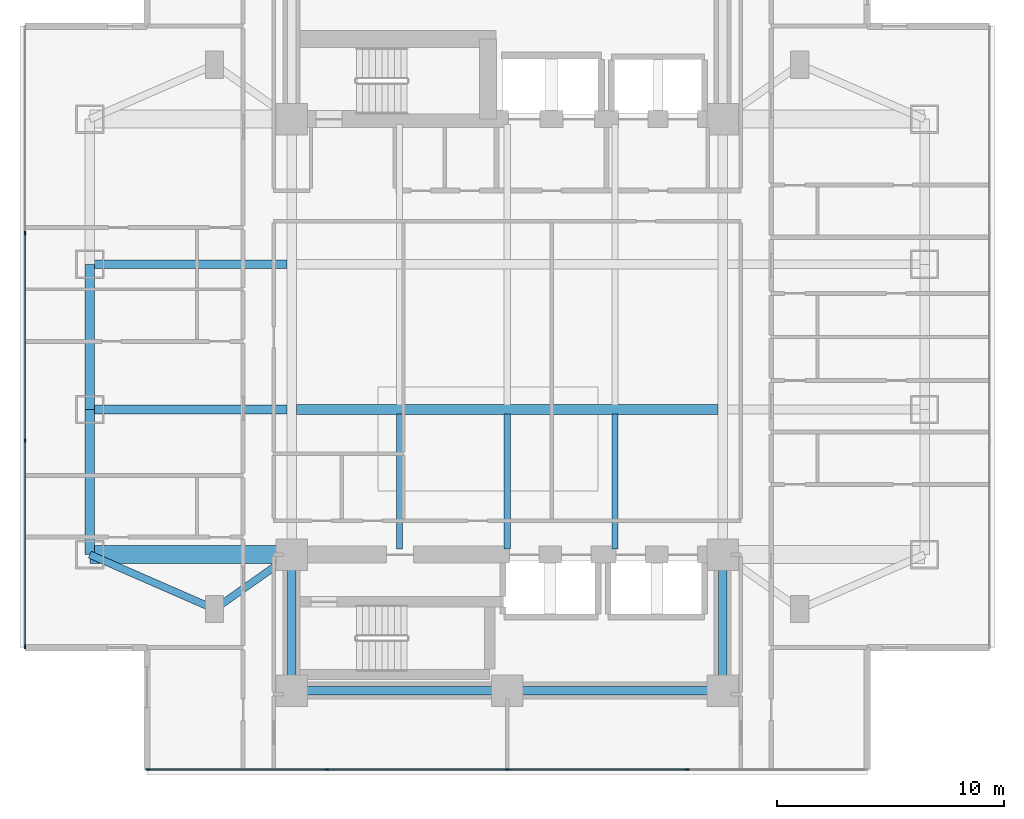
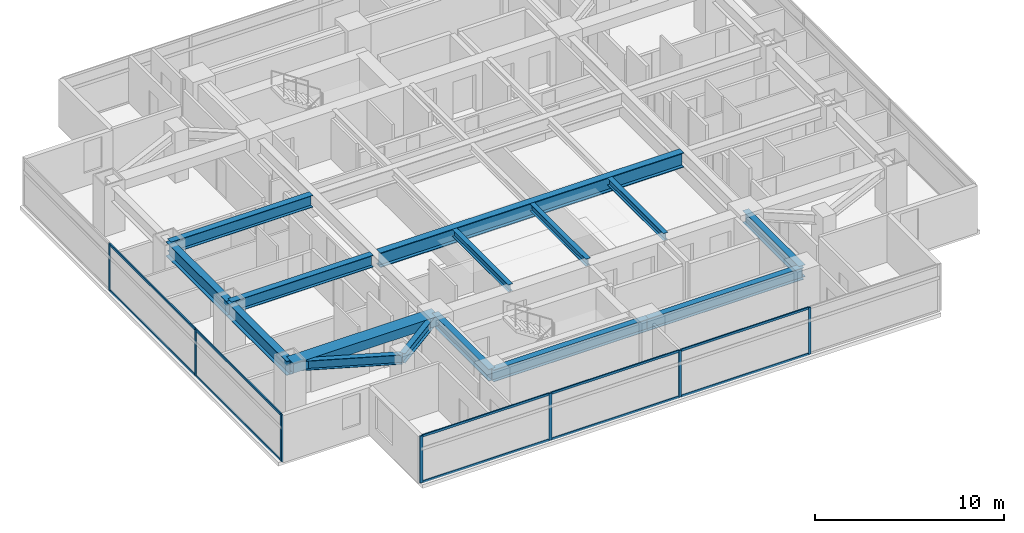
# One storey, part 2 of 26: 17 members, 15 beams, 2 elements without a shape of their own.
"""IFC4 building model written with IfcOpenShell, lengths in metres."""

from ifc_helpers import new_model, si_unit, direction, frame, origin, origin_2d, place, context, subcontext, project, spatial, rectangle, i_section, extrude, material, material_profile, profile_set, type_object, element, aggregate, save


model = new_model("IFC4")

# Units and contexts
model_context = context("Model", 3, precision=1e-05, world=origin(), true_north=direction((0.0, 1.0)))
body_context = subcontext(model_context, "Body", "Model", "MODEL_VIEW")
ifc_project = project(units=[si_unit("LENGTHUNIT", "METRE"), si_unit("AREAUNIT", "SQUARE_METRE"), si_unit("VOLUMEUNIT", "CUBIC_METRE"), si_unit("PLANEANGLEUNIT", "RADIAN"), si_unit("MASSUNIT", "GRAM", prefix="KILO")], contexts=[model_context])

# Site, building, storey
site_placement = place(None, origin())
site = spatial("IfcSite", under=ifc_project, at=site_placement, CompositionType="ELEMENT")
building_placement = place(site_placement, origin())
building = spatial("IfcBuilding", under=site, at=building_placement, Name="Mirazonda Arch Towers", CompositionType="ELEMENT")
storey_placement = place(building_placement, frame((0.0, 0.0, 25.699951171875)))
storey = spatial("IfcBuildingStorey", under=building, at=storey_placement, Name="L06", CompositionType="ELEMENT", Elevation=25.699951171875)

# Beams
ifc_material_1 = material(Name="Steel ASTM A992 Grade 50", Category="steel")
ifc_material_profile_1 = material_profile(ifc_material_1, i_section(OverallWidth=0.41796875, OverallDepth=0.927001953125, WebThickness=0.019287109375, FlangeThickness=0.031982421875, at=origin_2d()), Name="W36X231")
ifc_profile_set_1 = profile_set([ifc_material_profile_1], Name="Steel ASTM A992 Grade 50")
beam_type_1 = type_object("IfcBeamType", Name="BM-EXT-W36X231", PredefinedType="USERDEFINED", material=ifc_profile_set_1)
beam_1_placement = place(storey_placement, frame((2.10009765625, 18.39990234375, 2.596435546875), z_axis=(0.0, 1.0, 0.0), x_axis=(-1.0, 0.0, 0.0)))
element("IfcBeam", 1, at=beam_1_placement, inside=storey, type_object=beam_type_1, Name="L06 Floor Beam BM-T1-L06-NS-W-18", ObjectType="GIRDER", PredefinedType="USERDEFINED", context=body_context, shape_type="SweptSolid", body=[
    extrude(i_section(OverallWidth=0.41796875, OverallDepth=0.927001953125, WebThickness=0.019287109375, FlangeThickness=0.031982421875, at=origin_2d()), origin(), (0.0, 0.0, 1.0), 6.400146484375),
])
beam_2_placement = place(storey_placement, frame((2.10009765625, 24.800048828125, 2.596435546875), z_axis=(0.0, 1.0, 0.0), x_axis=(-1.0, 0.0, 0.0)))
element("IfcBeam", 2, at=beam_2_placement, inside=storey, type_object=beam_type_1, Name="L06 Floor Beam BM-T1-L06-NS-W-24", ObjectType="GIRDER", PredefinedType="USERDEFINED", context=body_context, shape_type="SweptSolid", body=[
    extrude(i_section(OverallWidth=0.41796875, OverallDepth=0.927001953125, WebThickness=0.019287109375, FlangeThickness=0.031982421875, at=origin_2d()), origin(), (0.0, 0.0, 1.0), 6.39990234375),
])
ifc_material_profile_2 = material_profile(ifc_material_1, i_section(OverallWidth=0.280029296875, OverallDepth=0.462890625, WebThickness=0.0107421875, FlangeThickness=0.017333984375, at=origin_2d()), Name="W18X76")
ifc_profile_set_2 = profile_set([ifc_material_profile_2], Name="Steel ASTM A992 Grade 50")
beam_type_2 = type_object("IfcBeamType", Name="BM-INT-W18X76", PredefinedType="JOIST", material=ifc_profile_set_2)
for number, where, z_axis, x_axis, name in (
    (3, (15.75, 18.639892578125, 2.82861328125), (0.0, 1.0, 0.0), (-1.0, 0.0, 0.0), "L06 Floor Beam BM-T1-L06-J-157-18"),
    (4, (20.5, 18.639892578125, 2.82861328125), (0.0, 1.0, 0.0), (-1.0, 0.0, 0.0), "L06 Floor Beam BM-T1-L06-J-205-18"),
    (5, (25.25, 18.639892578125, 2.82861328125), (0.0, 1.0, 0.0), (-1.0, 0.0, 0.0), "L06 Floor Beam BM-T1-L06-J-252-18"),
):
    element("IfcBeam", number, at=place(storey_placement, frame(where, z_axis=z_axis, x_axis=x_axis)), inside=storey, type_object=beam_type_2, Name=name, PredefinedType="JOIST", context=body_context, shape_type="SweptSolid", body=[
        extrude(i_section(OverallWidth=0.280029296875, OverallDepth=0.462890625, WebThickness=0.0107421875, FlangeThickness=0.017333984375, at=origin_2d()), origin(), (0.0, 0.0, 1.0), 5.95263671875),
    ])
ifc_material_profile_3 = material_profile(ifc_material_1, i_section(OverallWidth=0.324951171875, OverallDepth=0.615966796875, WebThickness=0.013916015625, FlangeThickness=0.021484375, at=origin_2d()), Name="W24X117")
ifc_profile_set_3 = profile_set([ifc_material_profile_3], Name="Steel ASTM A992 Grade 50")
beam_type_3 = type_object("IfcBeamType", Name="BM-INT-W24X117", PredefinedType="BEAM", material=ifc_profile_set_3)
beam_3_placement = place(storey_placement, frame((7.60009765625, 16.0, 2.751953125), z_axis=(0.816971114901, 0.576678591087, 0.0), x_axis=(-0.576678591087, 0.816971114901, 0.0)))
element("IfcBeam", 6, at=beam_3_placement, inside=storey, type_object=beam_type_3, Name="L06 Floor Beam BM-T1-L06-PL-SW1", PredefinedType="BEAM", context=body_context, shape_type="SweptSolid", body=[
    extrude(i_section(OverallWidth=0.324951171875, OverallDepth=0.615966796875, WebThickness=0.013916015625, FlangeThickness=0.021484375, at=origin_2d()), origin(), (0.0, 0.0, 1.0), 4.16162109375),
])
beam_4_placement = place(storey_placement, frame((7.60009765625, 16.0, 2.751953125), z_axis=(-0.916545343703, 0.399930785183, 0.0), x_axis=(-0.399930785183, -0.916545343703, 0.0)))
element("IfcBeam", 7, at=beam_4_placement, inside=storey, type_object=beam_type_3, Name="L06 Floor Beam BM-T1-L06-PL-SW2", PredefinedType="BEAM", context=body_context, shape_type="SweptSolid", body=[
    extrude(i_section(OverallWidth=0.324951171875, OverallDepth=0.615966796875, WebThickness=0.013916015625, FlangeThickness=0.021484375, at=origin_2d()), origin(), (0.0, 0.0, 1.0), 6.000732421875),
])
ifc_material_profile_4 = material_profile(ifc_material_1, i_section(OverallWidth=0.381103515625, OverallDepth=0.77294921875, WebThickness=0.0166015625, FlangeThickness=0.027099609375, at=origin_2d()), Name="W30X173")
ifc_profile_set_4 = profile_set([ifc_material_profile_4], Name="Steel ASTM A992 Grade 50")
beam_type_4 = type_object("IfcBeamType", Name="BM-INT-W30X173", PredefinedType="USERDEFINED", material=ifc_profile_set_4)
for number, where, z_axis, x_axis, name in (
    (8, (2.10009765625, 24.800048828125, 2.673583984375), (1.0, 0.0, 0.0), (0.0, 1.0, 0.0), "L06 Floor Beam BM-T1-L06-GW2"),
    (9, (2.10009765625, 31.199951171875, 2.673583984375), (1.0, 0.0, 0.0), (0.0, 1.0, 0.0), "L06 Floor Beam BM-T1-L06-GW3"),
):
    element("IfcBeam", number, at=place(storey_placement, frame(where, z_axis=z_axis, x_axis=x_axis)), inside=storey, type_object=beam_type_4, Name=name, ObjectType="GIRDER", PredefinedType="USERDEFINED", context=body_context, shape_type="SweptSolid", body=[
        extrude(i_section(OverallWidth=0.381103515625, OverallDepth=0.77294921875, WebThickness=0.0166015625, FlangeThickness=0.027099609375, at=origin_2d()), origin(), (0.0, 0.0, 1.0), 8.6884765625),
    ])
for number, where, z_axis, x_axis, name in (
    (10, (11.0, 12.39990234375, 2.673583984375), (1.0, 0.0, 0.0), (0.0, 1.0, 0.0), "L06 Floor Beam BM-T1-L06-CS1"),
    (11, (20.5, 12.39990234375, 2.673583984375), (1.0, 0.0, 0.0), (0.0, 1.0, 0.0), "L06 Floor Beam BM-T1-L06-CS2"),
):
    element("IfcBeam", number, at=place(storey_placement, frame(where, z_axis=z_axis, x_axis=x_axis)), inside=storey, type_object=beam_type_4, Name=name, ObjectType="GIRDER", PredefinedType="USERDEFINED", context=body_context, shape_type="SweptSolid", body=[
        extrude(i_section(OverallWidth=0.381103515625, OverallDepth=0.77294921875, WebThickness=0.0166015625, FlangeThickness=0.027099609375, at=origin_2d()), origin(), (0.0, 0.0, 1.0), 9.5),
    ])
for number, where, z_axis, x_axis, name in (
    (12, (11.0, 12.39990234375, 2.673583984375), (0.0, 1.0, 0.0), (-1.0, 0.0, 0.0), "L06 Floor Beam BM-T1-L06-CSW"),
    (13, (30.0, 12.39990234375, 2.673583984375), (0.0, 1.0, 0.0), (-1.0, 0.0, 0.0), "L06 Floor Beam BM-T1-L06-CSE"),
):
    element("IfcBeam", number, at=place(storey_placement, frame(where, z_axis=z_axis, x_axis=x_axis)), inside=storey, type_object=beam_type_4, Name=name, ObjectType="GIRDER", PredefinedType="USERDEFINED", context=body_context, shape_type="SweptSolid", body=[
        extrude(i_section(OverallWidth=0.381103515625, OverallDepth=0.77294921875, WebThickness=0.0166015625, FlangeThickness=0.027099609375, at=origin_2d()), origin(), (0.0, 0.0, 1.0), 6.0),
    ])
ifc_material_profile_5 = material_profile(ifc_material_1, i_section(OverallWidth=0.423095703125, OverallDepth=0.947998046875, WebThickness=0.02392578125, FlangeThickness=0.042724609375, at=origin_2d()), Name="W36X302")
ifc_profile_set_5 = profile_set([ifc_material_profile_5], Name="Steel ASTM A992 Grade 50")
beam_type_5 = type_object("IfcBeamType", Name="BM-INT-W36X302", PredefinedType="USERDEFINED", material=ifc_profile_set_5)
beam_5_placement = place(storey_placement, frame((11.21142578125, 24.800048828125, 2.5859375), z_axis=(1.0, 0.0, 0.0), x_axis=(0.0, 1.0, 0.0)))
element("IfcBeam", 14, at=beam_5_placement, inside=storey, type_object=beam_type_5, Name="L06 Floor Beam BM-T1-L06-GC2", ObjectType="GIRDER", PredefinedType="USERDEFINED", context=body_context, shape_type="SweptSolid", body=[
    extrude(i_section(OverallWidth=0.423095703125, OverallDepth=0.947998046875, WebThickness=0.02392578125, FlangeThickness=0.042724609375, at=origin_2d()), origin(), (0.0, 0.0, 1.0), 18.5771484375),
])
ifc_material_2 = material(Name="Concrete C60/75", Category="concrete")
ifc_material_profile_6 = material_profile(ifc_material_2, rectangle(XDim=0.800048828125, YDim=0.60009765625, at=origin_2d()), Name="RCCB800x600")
ifc_profile_set_6 = profile_set([ifc_material_profile_6], Name="Concrete C60/75")
beam_type_6 = type_object("IfcBeamType", Name="CB-INT-RCCB800x600", PredefinedType="SPANDREL", material=ifc_profile_set_6)
beam_6_placement = place(storey_placement, frame((2.10009765625, 18.39990234375, 2.760009765625), z_axis=(1.0, 0.0, 0.0), x_axis=(0.0, 1.0, 0.0)))
element("IfcBeam", 15, at=beam_6_placement, inside=storey, type_object=beam_type_6, Name="L06 Floor Beam CBC-T1-L06-SW", PredefinedType="SPANDREL", context=body_context, shape_type="SweptSolid", body=[
    extrude(rectangle(XDim=0.800048828125, YDim=0.60009765625, at=origin_2d()), origin(), (0.0, 0.0, 1.0), 8.89990234375),
])

# Curtain wall, members
ifc_material_3 = material(Name="Anodised Aluminium and Low-E Glass", Category="aluminium")
curtain_wall_type = type_object("IfcCurtainWallType", Name="CW-HTL-UNIT", PredefinedType="NOTDEFINED", material=ifc_material_3)
curtain_wall_1_placement = place(storey_placement, origin())
curtain_wall_1 = element("IfcCurtainWall", 16, at=curtain_wall_1_placement, inside=storey, type_object=curtain_wall_type, Name="L06 T1 S Facade CW-L06-T1-S", PredefinedType="NOTDEFINED")
ifc_material_4 = material(Name="Anodised Aluminium Alloy", Category="aluminium")
ifc_material_profile_7 = material_profile(ifc_material_4, rectangle(XDim=0.074951171875, YDim=0.1650390625, at=origin_2d()), Name="ALU-MULL-75x165")
ifc_profile_set_7 = profile_set([ifc_material_profile_7], Name="Anodised Aluminium Alloy")
member_type_1 = type_object("IfcMemberType", Name="MULL-CW-HTL-UNIT", PredefinedType="MULLION", material=ifc_profile_set_7)
member_1_placement = place(storey_placement, frame((28.43994140625, 8.922119140625, 0.0), z_axis=(0.0, 0.0, 1.0), x_axis=(0.0, -1.0, 0.0)))
member_1 = element("IfcMember", 17, at=member_1_placement, type_object=member_type_1, Name="CW-112 mullion 2", PredefinedType="MULLION", context=body_context, shape_type="SweptSolid", body=[
    extrude(rectangle(XDim=0.074951171875, YDim=0.1650390625, at=origin_2d()), origin(), (0.0, 0.0, 1.0), 3.0400390625),
])
member_2_placement = place(storey_placement, frame((20.5, 8.922119140625, 0.0), z_axis=(0.0, 0.0, 1.0), x_axis=(0.0, -1.0, 0.0)))
member_2 = element("IfcMember", 18, at=member_2_placement, type_object=member_type_1, Name="CW-112 mullion 3", PredefinedType="MULLION", context=body_context, shape_type="SweptSolid", body=[
    extrude(rectangle(XDim=0.074951171875, YDim=0.1650390625, at=origin_2d()), origin(), (0.0, 0.0, 1.0), 3.0400390625),
])
member_3_placement = place(storey_placement, frame((12.56005859375, 8.922119140625, 0.0), z_axis=(0.0, 0.0, 1.0), x_axis=(0.0, -1.0, 0.0)))
member_3 = element("IfcMember", 19, at=member_3_placement, type_object=member_type_1, Name="CW-112 mullion 4", PredefinedType="MULLION", context=body_context, shape_type="SweptSolid", body=[
    extrude(rectangle(XDim=0.074951171875, YDim=0.1650390625, at=origin_2d()), origin(), (0.0, 0.0, 1.0), 3.0400390625),
])
member_4_placement = place(storey_placement, frame((4.657470703125, 8.922119140625, 0.0), z_axis=(0.0, 0.0, 1.0), x_axis=(0.0, -1.0, 0.0)))
member_4 = element("IfcMember", 20, at=member_4_placement, type_object=member_type_1, Name="CW-112 mullion 5", PredefinedType="MULLION", context=body_context, shape_type="SweptSolid", body=[
    extrude(rectangle(XDim=0.074951171875, YDim=0.1650390625, at=origin_2d()), origin(), (0.0, 0.0, 1.0), 3.0400390625),
])

curtain_wall_2_placement = place(storey_placement, origin())
curtain_wall_2 = element("IfcCurtainWall", 21, at=curtain_wall_2_placement, inside=storey, type_object=curtain_wall_type, Name="L06 T1 W Facade CW-L06-T1-W", PredefinedType="NOTDEFINED")
member_5_placement = place(storey_placement, frame((-0.760009765625, 32.56591796875, 0.0), z_axis=(0.0, 0.0, 1.0), x_axis=(1.0, 0.0, 0.0)))
member_5 = element("IfcMember", 22, at=member_5_placement, type_object=member_type_1, Name="CW-112 mullion 2", PredefinedType="MULLION", context=body_context, shape_type="SweptSolid", body=[
    extrude(rectangle(XDim=0.074951171875, YDim=0.1650390625, at=origin_2d()), origin(), (0.0, 0.0, 1.0), 3.0400390625),
])
member_6_placement = place(storey_placement, frame((-0.760009765625, 23.43408203125, 0.0), z_axis=(0.0, 0.0, 1.0), x_axis=(1.0, 0.0, 0.0)))
member_6 = element("IfcMember", 23, at=member_6_placement, type_object=member_type_1, Name="CW-112 mullion 3", PredefinedType="MULLION", context=body_context, shape_type="SweptSolid", body=[
    extrude(rectangle(XDim=0.074951171875, YDim=0.1650390625, at=origin_2d()), origin(), (0.0, 0.0, 1.0), 3.0400390625),
])
member_7_placement = place(storey_placement, frame((-0.760009765625, 14.339599609375, 0.0), z_axis=(0.0, 0.0, 1.0), x_axis=(1.0, 0.0, 0.0)))
member_7 = element("IfcMember", 24, at=member_7_placement, type_object=member_type_1, Name="CW-112 mullion 4", PredefinedType="MULLION", context=body_context, shape_type="SweptSolid", body=[
    extrude(rectangle(XDim=0.074951171875, YDim=0.1650390625, at=origin_2d()), origin(), (0.0, 0.0, 1.0), 3.0400390625),
])

# Member
ifc_material_profile_8 = material_profile(ifc_material_4, rectangle(XDim=0.074951171875, YDim=0.14501953125, at=origin_2d()), Name="ALU-TRAN-75x145")
ifc_profile_set_8 = profile_set([ifc_material_profile_8], Name="Anodised Aluminium Alloy")
member_type_2 = type_object("IfcMemberType", Name="TRAN-CW-HTL-UNIT", PredefinedType="USERDEFINED", material=ifc_profile_set_8)
member_8_placement = place(storey_placement, frame((28.402587890625, 8.922119140625, 0.03759765625), z_axis=(-1.0, 0.0, 0.0), x_axis=(0.0, -1.0, 0.0)))
member_8 = element("IfcMember", 25, at=member_8_placement, type_object=member_type_2, Name="CW-112 transom 2.1", ObjectType="TRANSOM", PredefinedType="USERDEFINED", context=body_context, shape_type="SweptSolid", body=[
    extrude(rectangle(XDim=0.074951171875, YDim=0.14501953125, at=origin_2d()), origin(), (0.0, 0.0, 1.0), 7.864990234375),
])

member_9_placement = place(storey_placement, frame((28.402587890625, 8.922119140625, 3.00244140625), z_axis=(-1.0, 0.0, 0.0), x_axis=(0.0, -1.0, 0.0)))
member_9 = element("IfcMember", 26, at=member_9_placement, type_object=member_type_2, Name="CW-112 transom 2.2", ObjectType="TRANSOM", PredefinedType="USERDEFINED", context=body_context, shape_type="SweptSolid", body=[
    extrude(rectangle(XDim=0.074951171875, YDim=0.14501953125, at=origin_2d()), origin(), (0.0, 0.0, 1.0), 7.864990234375),
])

member_10_placement = place(storey_placement, frame((20.46240234375, 8.922119140625, 0.03759765625), z_axis=(-1.0, 0.0, 0.0), x_axis=(0.0, -1.0, 0.0)))
member_10 = element("IfcMember", 27, at=member_10_placement, type_object=member_type_2, Name="CW-112 transom 3.1", ObjectType="TRANSOM", PredefinedType="USERDEFINED", context=body_context, shape_type="SweptSolid", body=[
    extrude(rectangle(XDim=0.074951171875, YDim=0.14501953125, at=origin_2d()), origin(), (0.0, 0.0, 1.0), 7.864990234375),
])

member_11_placement = place(storey_placement, frame((20.46240234375, 8.922119140625, 3.00244140625), z_axis=(-1.0, 0.0, 0.0), x_axis=(0.0, -1.0, 0.0)))
member_11 = element("IfcMember", 28, at=member_11_placement, type_object=member_type_2, Name="CW-112 transom 3.2", ObjectType="TRANSOM", PredefinedType="USERDEFINED", context=body_context, shape_type="SweptSolid", body=[
    extrude(rectangle(XDim=0.074951171875, YDim=0.14501953125, at=origin_2d()), origin(), (0.0, 0.0, 1.0), 7.864990234375),
])

member_12_placement = place(storey_placement, frame((12.5224609375, 8.922119140625, 0.03759765625), z_axis=(-1.0, 0.0, 0.0), x_axis=(0.0, -1.0, 0.0)))
member_12 = element("IfcMember", 29, at=member_12_placement, type_object=member_type_2, Name="CW-112 transom 4.1", ObjectType="TRANSOM", PredefinedType="USERDEFINED", context=body_context, shape_type="SweptSolid", body=[
    extrude(rectangle(XDim=0.074951171875, YDim=0.14501953125, at=origin_2d()), origin(), (0.0, 0.0, 1.0), 7.827392578125),
])

member_13_placement = place(storey_placement, frame((12.5224609375, 8.922119140625, 3.00244140625), z_axis=(-1.0, 0.0, 0.0), x_axis=(0.0, -1.0, 0.0)))
member_13 = element("IfcMember", 30, at=member_13_placement, type_object=member_type_2, Name="CW-112 transom 4.2", ObjectType="TRANSOM", PredefinedType="USERDEFINED", context=body_context, shape_type="SweptSolid", body=[
    extrude(rectangle(XDim=0.074951171875, YDim=0.14501953125, at=origin_2d()), origin(), (0.0, 0.0, 1.0), 7.827392578125),
])

aggregate(curtain_wall_1, [member_1, member_2, member_3, member_4, member_8, member_9, member_10, member_11, member_12, member_13])

member_14_placement = place(storey_placement, frame((-0.760009765625, 32.528564453125, 0.03759765625), z_axis=(0.0, -1.0, 0.0), x_axis=(1.0, 0.0, 0.0)))
member_14 = element("IfcMember", 31, at=member_14_placement, type_object=member_type_2, Name="CW-112 transom 2.1", ObjectType="TRANSOM", PredefinedType="USERDEFINED", context=body_context, shape_type="SweptSolid", body=[
    extrude(rectangle(XDim=0.074951171875, YDim=0.14501953125, at=origin_2d()), origin(), (0.0, 0.0, 1.0), 9.05712890625),
])

member_15_placement = place(storey_placement, frame((-0.760009765625, 32.528564453125, 3.00244140625), z_axis=(0.0, -1.0, 0.0), x_axis=(1.0, 0.0, 0.0)))
member_15 = element("IfcMember", 32, at=member_15_placement, type_object=member_type_2, Name="CW-112 transom 2.2", ObjectType="TRANSOM", PredefinedType="USERDEFINED", context=body_context, shape_type="SweptSolid", body=[
    extrude(rectangle(XDim=0.074951171875, YDim=0.14501953125, at=origin_2d()), origin(), (0.0, 0.0, 1.0), 9.05712890625),
])

member_16_placement = place(storey_placement, frame((-0.760009765625, 23.396484375, 0.03759765625), z_axis=(0.0, -1.0, 0.0), x_axis=(1.0, 0.0, 0.0)))
member_16 = element("IfcMember", 33, at=member_16_placement, type_object=member_type_2, Name="CW-112 transom 3.1", ObjectType="TRANSOM", PredefinedType="USERDEFINED", context=body_context, shape_type="SweptSolid", body=[
    extrude(rectangle(XDim=0.074951171875, YDim=0.14501953125, at=origin_2d()), origin(), (0.0, 0.0, 1.0), 9.01953125),
])

member_17_placement = place(storey_placement, frame((-0.760009765625, 23.396484375, 3.00244140625), z_axis=(0.0, -1.0, 0.0), x_axis=(1.0, 0.0, 0.0)))
member_17 = element("IfcMember", 34, at=member_17_placement, type_object=member_type_2, Name="CW-112 transom 3.2", ObjectType="TRANSOM", PredefinedType="USERDEFINED", context=body_context, shape_type="SweptSolid", body=[
    extrude(rectangle(XDim=0.074951171875, YDim=0.14501953125, at=origin_2d()), origin(), (0.0, 0.0, 1.0), 9.01953125),
])

aggregate(curtain_wall_2, [member_5, member_6, member_7, member_14, member_15, member_16, member_17])

save(model, "model.ifc")
